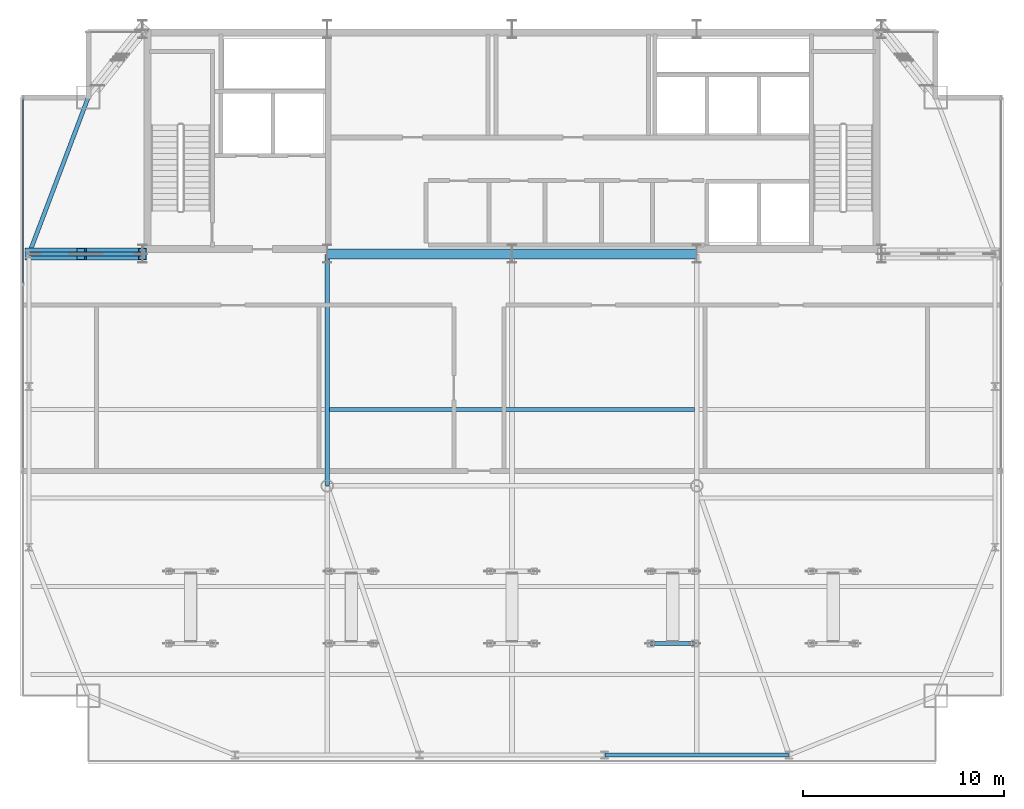
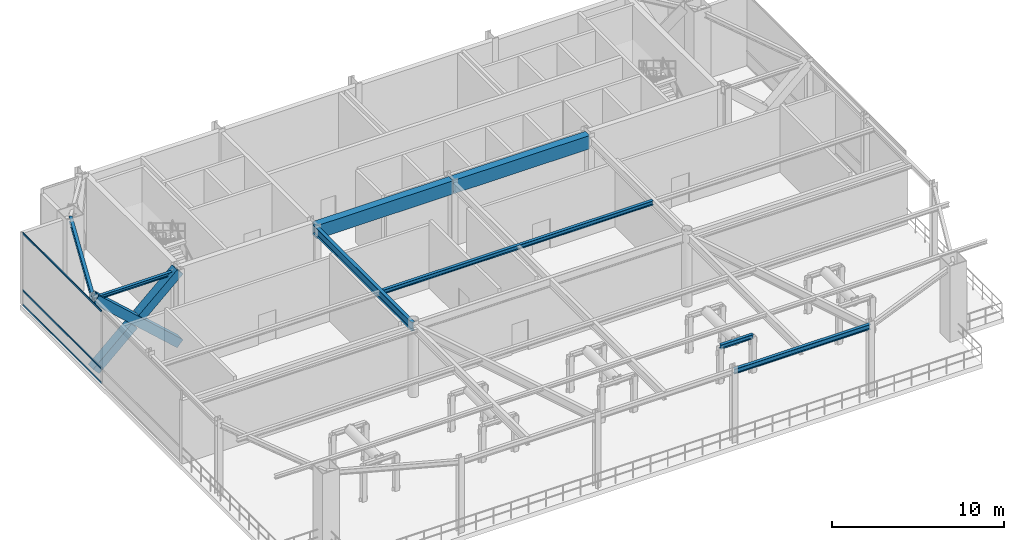
# One storey, part 8 of 21: 8 beams, 6 members, 1 element without a shape of its own.
"""IFC4 building model written with IfcOpenShell, lengths in metres."""

from ifc_helpers import new_model, si_unit, direction, frame, origin, origin_2d, place, context, subcontext, project, spatial, rectangle, hollow_rectangle, i_section, extrude, source, transform, mapped, material, layer, layer_set, material_profile, profile_set, type_object, type_shapes, element, aggregate, save


model = new_model("IFC4")

# Units and contexts
model_context = context("Model", 3, precision=1e-05, world=origin(), true_north=direction((0.0, 1.0)))
body_context = subcontext(model_context, "Body", "Model", "MODEL_VIEW")
ifc_project = project(units=[si_unit("LENGTHUNIT", "METRE"), si_unit("AREAUNIT", "SQUARE_METRE"), si_unit("VOLUMEUNIT", "CUBIC_METRE"), si_unit("PLANEANGLEUNIT", "RADIAN"), si_unit("MASSUNIT", "GRAM", prefix="KILO")], contexts=[model_context])

# Site, building, storey
site_placement = place(None, origin())
site = spatial("IfcSite", under=ifc_project, at=site_placement, CompositionType="ELEMENT")
building_placement = place(site_placement, origin())
building = spatial("IfcBuilding", under=site, at=building_placement, Name="Varnel Quay Broadcast Tower", CompositionType="ELEMENT")
storey_placement = place(building_placement, frame((0.0, 0.0, 234.0)))
storey = spatial("IfcBuildingStorey", under=building, at=storey_placement, Name="L58", CompositionType="ELEMENT", Elevation=234.0)

# Beams
ifc_material_1 = material(Name="Concrete CSA A23.3 C50/60", Category="concrete")
ifc_material_profile_1 = material_profile(ifc_material_1, rectangle(XDim=0.5, YDim=0.949951171875, at=origin_2d()), Name="RC500X950")
ifc_profile_set_1 = profile_set([ifc_material_profile_1], Name="Concrete CSA A23.3 C50/60")
beam_type_1 = type_object("IfcBeamType", Name="Beam_RC500X950", PredefinedType="BEAM", material=ifc_profile_set_1)
shared_shape_1 = source(origin(), body_context, "Body", "SweptSolid", [
    extrude(rectangle(XDim=0.5, YDim=0.949951171875, at=origin_2d()), origin(), (0.0, 0.0, 1.0), 9.159912109375),
])
type_shapes(beam_type_1, [shared_shape_1])
for number, where, z_axis, x_axis, name in (
    (1, (24.820068359375, 35.60009765625, 4.675048828125), (1.0, 0.0, 0.0), (0.0, 1.0, 0.0), "L58 Core Coupling Beam W"),
    (2, (34.02001953125, 35.60009765625, 4.675048828125), (1.0, 0.0, 0.0), (0.0, 1.0, 0.0), "L58 Core Coupling Beam E"),
):
    element("IfcBeam", number, at=place(storey_placement, frame(where, z_axis=z_axis, x_axis=x_axis)), inside=storey, type_object=beam_type_1, Name=name, PredefinedType="BEAM", context=body_context, shape_type="MappedRepresentation", body=[
        mapped(shared_shape_1, transform((0.0, 0.0, 0.0), x_axis=(1.0, 0.0, 0.0), y_axis=(0.0, 1.0, 0.0), z_axis=(0.0, 0.0, 1.0), scale=1.0)),
    ])
ifc_material_2 = material(Name="Structural Steel CSA G40.21 350W", Category="steel")
ifc_material_profile_2 = material_profile(ifc_material_2, i_section(OverallWidth=0.205078125, OverallDepth=0.35400390625, WebThickness=0.009521484375, FlangeThickness=0.016845703125, FilletRadius=0.012939453125, at=origin_2d()), Name="W360X79")
ifc_profile_set_2 = profile_set([ifc_material_profile_2], Name="Structural Steel CSA G40.21 350W")
beam_type_2 = type_object("IfcBeamType", Name="Beam_W360X79", PredefinedType="SPANDREL", material=ifc_profile_set_2)
shared_shape_2 = source(origin(), body_context, "Body", "SweptSolid", [
    extrude(i_section(OverallWidth=0.205078125, OverallDepth=0.35400390625, WebThickness=0.009521484375, FlangeThickness=0.016845703125, FilletRadius=0.012939453125, at=origin_2d()), origin(), (0.0, 0.0, 1.0), 9.159912109375),
])
beam_1_placement = place(storey_placement, frame((38.6201171875, 10.64990234375, 4.972900390625), z_axis=(1.0, 0.0, 0.0), x_axis=(0.0, 1.0, 0.0)))
element("IfcBeam", 3, at=beam_1_placement, inside=storey, type_object=beam_type_2, Name="L58 South Spandrel TC-S3-TC-S4", PredefinedType="SPANDREL", context=body_context, shape_type="MappedRepresentation", body=[
    mapped(shared_shape_2, transform((0.0, 0.0, 0.0), x_axis=(1.0, 0.0, 0.0), y_axis=(0.0, 1.0, 0.0), z_axis=(0.0, 0.0, 1.0), scale=1.0)),
])
shared_shape_3 = source(origin(), body_context, "Body", "SweptSolid", [
    extrude(i_section(OverallWidth=0.205078125, OverallDepth=0.35400390625, WebThickness=0.009521484375, FlangeThickness=0.016845703125, FilletRadius=0.012939453125, at=origin_2d()), origin(), (0.0, 0.0, 1.0), 8.29931640625),
])
type_shapes(beam_type_2, [shared_shape_2, shared_shape_3])
beam_2_placement = place(storey_placement, frame((9.95703125, 35.61865234375, 4.972900390625), z_axis=(0.353739782058, 0.935343876117, 0.0), x_axis=(-0.935343876117, 0.353739782058, 0.0)))
element("IfcBeam", 4, at=beam_2_placement, inside=storey, type_object=beam_type_2, Name="L58 West Spandrel TC-W3-MC-NW", PredefinedType="SPANDREL", context=body_context, shape_type="MappedRepresentation", body=[
    mapped(shared_shape_3, transform((0.0, 0.0, 0.0), x_axis=(1.0, 0.0, 0.0), y_axis=(0.0, 1.0, 0.0), z_axis=(0.0, 0.0, 1.0), scale=1.0)),
])
ifc_material_profile_3 = material_profile(ifc_material_2, i_section(OverallWidth=0.22998046875, OverallDepth=0.616943359375, WebThickness=0.01318359375, FlangeThickness=0.022216796875, FilletRadius=0.01611328125, at=origin_2d()), Name="W610X140")
ifc_profile_set_3 = profile_set([ifc_material_profile_3], Name="Structural Steel CSA G40.21 350W")
beam_type_3 = type_object("IfcBeamType", Name="Girder_W610X140", PredefinedType="BEAM", material=ifc_profile_set_3)
shared_shape_4 = source(origin(), body_context, "Body", "SweptSolid", [
    extrude(i_section(OverallWidth=0.22998046875, OverallDepth=0.616943359375, WebThickness=0.01318359375, FlangeThickness=0.022216796875, FilletRadius=0.01611328125, at=origin_2d()), origin(), (0.0, 0.0, 1.0), 11.510009765625),
])
type_shapes(beam_type_3, [shared_shape_4])
beam_3_placement = place(storey_placement, frame((24.800048828125, 24.070068359375, 4.841552734375), z_axis=(0.0, 1.0, 0.0), x_axis=(-1.0, 0.0, 0.0)))
element("IfcBeam", 5, at=beam_3_placement, inside=storey, type_object=beam_type_3, Name="L58 Primary Girder IC-01-CC-S2", PredefinedType="BEAM", context=body_context, shape_type="MappedRepresentation", body=[
    mapped(shared_shape_4, transform((0.0, 0.0, 0.0), x_axis=(1.0, 0.0, 0.0), y_axis=(0.0, 1.0, 0.0), z_axis=(0.0, 0.0, 1.0), scale=1.0)),
])
ifc_material_profile_4 = material_profile(ifc_material_2, i_section(OverallWidth=0.201904296875, OverallDepth=0.2470703125, WebThickness=0.00732421875, FlangeThickness=0.010986328125, FilletRadius=0.010986328125, at=origin_2d()), Name="W250X49")
ifc_profile_set_4 = profile_set([ifc_material_profile_4], Name="Structural Steel CSA G40.21 350W")
beam_type_4 = type_object("IfcBeamType", Name="Beam_W250X49", PredefinedType="JOIST", material=ifc_profile_set_4)
shared_shape_5 = source(origin(), body_context, "Body", "SweptSolid", [
    extrude(i_section(OverallWidth=0.201904296875, OverallDepth=0.2470703125, WebThickness=0.00732421875, FlangeThickness=0.010986328125, FilletRadius=0.010986328125, at=origin_2d()), origin(), (0.0, 0.0, 1.0), 5.610107421875),
])
type_shapes(beam_type_4, [shared_shape_5])
beam_4_placement = place(storey_placement, frame((9.969970703125, 35.60009765625, 5.026611328125), z_axis=(1.0, 0.0, 0.0), x_axis=(0.0, 1.0, 0.0)))
element("IfcBeam", 6, at=beam_4_placement, inside=storey, type_object=beam_type_4, Name="L58 West Core Tie Joist", PredefinedType="JOIST", context=body_context, shape_type="MappedRepresentation", body=[
    mapped(shared_shape_5, transform((0.0, 0.0, 0.0), x_axis=(1.0, 0.0, 0.0), y_axis=(0.0, 1.0, 0.0), z_axis=(0.0, 0.0, 1.0), scale=1.0)),
])
ifc_material_profile_5 = material_profile(ifc_material_2, i_section(OverallWidth=0.202880859375, OverallDepth=0.302978515625, WebThickness=0.007568359375, FlangeThickness=0.01318359375, FilletRadius=0.011962890625, at=origin_2d()), Name="W310X60")
ifc_profile_set_5 = profile_set([ifc_material_profile_5], Name="Structural Steel CSA G40.21 350W")
beam_type_5 = type_object("IfcBeamType", Name="Beam_W310X60", PredefinedType="JOIST", material=ifc_profile_set_5)
shared_shape_6 = source(origin(), body_context, "Body", "SweptSolid", [
    extrude(i_section(OverallWidth=0.202880859375, OverallDepth=0.302978515625, WebThickness=0.007568359375, FlangeThickness=0.01318359375, FilletRadius=0.011962890625, at=origin_2d()), origin(), (0.0, 0.0, 1.0), 18.18017578125),
])
beam_5_placement = place(storey_placement, frame((24.909912109375, 27.85009765625, 4.99853515625), z_axis=(1.0, 0.0, 0.0), x_axis=(0.0, 1.0, 0.0)))
element("IfcBeam", 7, at=beam_5_placement, inside=storey, type_object=beam_type_5, Name="L58 Central Floor Joist 4", PredefinedType="JOIST", context=body_context, shape_type="MappedRepresentation", body=[
    mapped(shared_shape_6, transform((0.0, 0.0, 0.0), x_axis=(1.0, 0.0, 0.0), y_axis=(0.0, 1.0, 0.0), z_axis=(0.0, 0.0, 1.0), scale=1.0)),
])

# Members
ifc_material_3 = material(Name="Structural Steel CSA G40.21 350WT", Category="steel")
ifc_material_profile_6 = material_profile(ifc_material_3, hollow_rectangle(XDim=0.60009765625, YDim=0.60009765625, WallThickness=0.028076171875, at=origin_2d()), Name="BOX600X600X28")
ifc_profile_set_6 = profile_set([ifc_material_profile_6], Name="Structural Steel CSA G40.21 350WT")
member_type_1 = type_object("IfcMemberType", Name="Outrigger_BOX600X600X28", PredefinedType="BRACE", material=ifc_profile_set_6)
shared_shape_7 = source(origin(), body_context, "Body", "SweptSolid", [
    extrude(hollow_rectangle(XDim=0.60009765625, YDim=0.60009765625, WallThickness=0.028076171875, at=origin_2d()), origin(), (0.0, 0.0, 1.0), 7.6181640625),
])
member_1_placement = place(storey_placement, frame((15.60009765625, 35.60009765625, 0.02001953125), z_axis=(-0.741677739008, 0.0, 0.670756387566), x_axis=(0.0, -1.0, 0.0)))
element("IfcMember", 8, at=member_1_placement, inside=storey, type_object=member_type_1, Name="L58 Outrigger W Continuous Diag A", PredefinedType="BRACE", context=body_context, shape_type="MappedRepresentation", body=[
    mapped(shared_shape_7, transform((0.0, 0.0, 0.0), x_axis=(1.0, 0.0, 0.0), y_axis=(0.0, 1.0, 0.0), z_axis=(0.0, 0.0, 1.0), scale=1.0)),
])
shared_shape_8 = source(origin(), body_context, "Body", "SweptSolid", [
    extrude(hollow_rectangle(XDim=0.60009765625, YDim=0.60009765625, WallThickness=0.028076171875, at=origin_2d()), origin(), (0.0, 0.0, 1.0), 3.482421875),
])
member_2_placement = place(storey_placement, frame((9.949951171875, 35.60009765625, 0.02001953125), z_axis=(0.741657011106, 0.0, 0.670779306387), x_axis=(0.0, 1.0, 0.0)))
element("IfcMember", 9, at=member_2_placement, inside=storey, type_object=member_type_1, Name="L58 Outrigger W Split Diag B1", PredefinedType="BRACE", context=body_context, shape_type="MappedRepresentation", body=[
    mapped(shared_shape_8, transform((0.0, 0.0, 0.0), x_axis=(1.0, 0.0, 0.0), y_axis=(0.0, 1.0, 0.0), z_axis=(0.0, 0.0, 1.0), scale=1.0)),
])
shared_shape_9 = source(origin(), body_context, "Body", "SweptSolid", [
    extrude(hollow_rectangle(XDim=0.60009765625, YDim=0.60009765625, WallThickness=0.028076171875, at=origin_2d()), origin(), (0.0, 0.0, 1.0), 3.482666015625),
])
type_shapes(member_type_1, [shared_shape_7, shared_shape_8, shared_shape_9])
member_3_placement = place(storey_placement, frame((13.01708984375, 35.60009765625, 2.7939453125), z_axis=(0.741688552722, 0.0, 0.670744430287), x_axis=(0.0, 1.0, 0.0)))
element("IfcMember", 10, at=member_3_placement, inside=storey, type_object=member_type_1, Name="L58 Outrigger W Split Diag B2", PredefinedType="BRACE", context=body_context, shape_type="MappedRepresentation", body=[
    mapped(shared_shape_9, transform((0.0, 0.0, 0.0), x_axis=(1.0, 0.0, 0.0), y_axis=(0.0, 1.0, 0.0), z_axis=(0.0, 0.0, 1.0), scale=1.0)),
])

# Beam
shared_shape_10 = source(origin(), body_context, "Body", "SweptSolid", [
    extrude(i_section(OverallWidth=0.202880859375, OverallDepth=0.302978515625, WebThickness=0.007568359375, FlangeThickness=0.01318359375, FilletRadius=0.011962890625, at=origin_2d()), origin(), (0.0, 0.0, 1.0), 2.2001953125),
])
type_shapes(beam_type_5, [shared_shape_6, shared_shape_10])
beam_6_placement = place(storey_placement, frame((40.89990234375, 16.199951171875, 2.550048828125), z_axis=(1.0, 0.0, 0.0), x_axis=(0.0, 1.0, 0.0)))
element("IfcBeam", 11, at=beam_6_placement, inside=storey, type_object=beam_type_5, Name="L58 Wind Turbine 4 South Cradle Beam", PredefinedType="JOIST", context=body_context, shape_type="MappedRepresentation", body=[
    mapped(shared_shape_10, transform((0.0, 0.0, 0.0), x_axis=(1.0, 0.0, 0.0), y_axis=(0.0, 1.0, 0.0), z_axis=(0.0, 0.0, 1.0), scale=1.0)),
])

# Curtain wall, members
ifc_material_4 = material(Name="Anodised Bronze Aluminium 6063-T6", Category="aluminium")
ifc_layer = layer(ifc_material_4, 0.18994140625, Name="Anodised Bronze Aluminium 6063-T6")
ifc_layer_set = layer_set([ifc_layer], Name="Anodised Bronze Aluminium 6063-T6")
curtain_wall_type = type_object("IfcCurtainWallType", Name="CW_UpperTower", PredefinedType="NOTDEFINED", material=ifc_layer_set)
curtain_wall_placement = place(storey_placement, origin())
curtain_wall = element("IfcCurtainWall", 12, at=curtain_wall_placement, inside=storey, type_object=curtain_wall_type, Name="L58 West Plant Curtain Wall", PredefinedType="NOTDEFINED")
ifc_material_profile_7 = material_profile(ifc_material_4, hollow_rectangle(XDim=0.06005859375, YDim=0.125, WallThickness=0.0029296875, at=origin_2d()), Name="ALU60X125X3")
ifc_profile_set_7 = profile_set([ifc_material_profile_7], Name="Anodised Bronze Aluminium 6063-T6")
member_type_2 = type_object("IfcMemberType", Name="Tran_CWS-03", PredefinedType="USERDEFINED", material=ifc_profile_set_7)
shared_shape_11 = source(origin(), body_context, "Body", "SweptSolid", [
    extrude(hollow_rectangle(XDim=0.06005859375, YDim=0.125, WallThickness=0.0029296875, at=origin_2d()), origin(), (0.0, 0.0, 1.0), 9.202392578125),
])
type_shapes(member_type_2, [shared_shape_11])
member_4_placement = place(storey_placement, frame((9.64990234375, 34.132568359375, 0.030029296875), z_axis=(0.0, 1.0, 0.0), x_axis=(-1.0, 0.0, 0.0)))
member_4 = element("IfcMember", 13, at=member_4_placement, type_object=member_type_2, Name="CWS-03 transom 2.1", ObjectType="TRANSOM", PredefinedType="USERDEFINED", context=body_context, shape_type="MappedRepresentation", body=[
    mapped(shared_shape_11, transform((0.0, 0.0, 0.0), x_axis=(1.0, 0.0, 0.0), y_axis=(0.0, 1.0, 0.0), z_axis=(0.0, 0.0, 1.0), scale=1.0)),
])
member_5_placement = place(storey_placement, frame((9.64990234375, 34.132568359375, 1.050048828125), z_axis=(0.0, 1.0, 0.0), x_axis=(-1.0, 0.0, 0.0)))
member_5 = element("IfcMember", 14, at=member_5_placement, type_object=member_type_2, Name="CWS-03 transom 2.2", ObjectType="TRANSOM", PredefinedType="USERDEFINED", context=body_context, shape_type="MappedRepresentation", body=[
    mapped(shared_shape_11, transform((0.0, 0.0, 0.0), x_axis=(1.0, 0.0, 0.0), y_axis=(0.0, 1.0, 0.0), z_axis=(0.0, 0.0, 1.0), scale=1.0)),
])
member_6_placement = place(storey_placement, frame((9.64990234375, 34.132568359375, 5.1201171875), z_axis=(0.0, 1.0, 0.0), x_axis=(-1.0, 0.0, 0.0)))
member_6 = element("IfcMember", 15, at=member_6_placement, type_object=member_type_2, Name="CWS-03 transom 2.3", ObjectType="TRANSOM", PredefinedType="USERDEFINED", context=body_context, shape_type="MappedRepresentation", body=[
    mapped(shared_shape_11, transform((0.0, 0.0, 0.0), x_axis=(1.0, 0.0, 0.0), y_axis=(0.0, 1.0, 0.0), z_axis=(0.0, 0.0, 1.0), scale=1.0)),
])
aggregate(curtain_wall, [member_4, member_5, member_6])

save(model, "model.ifc")
